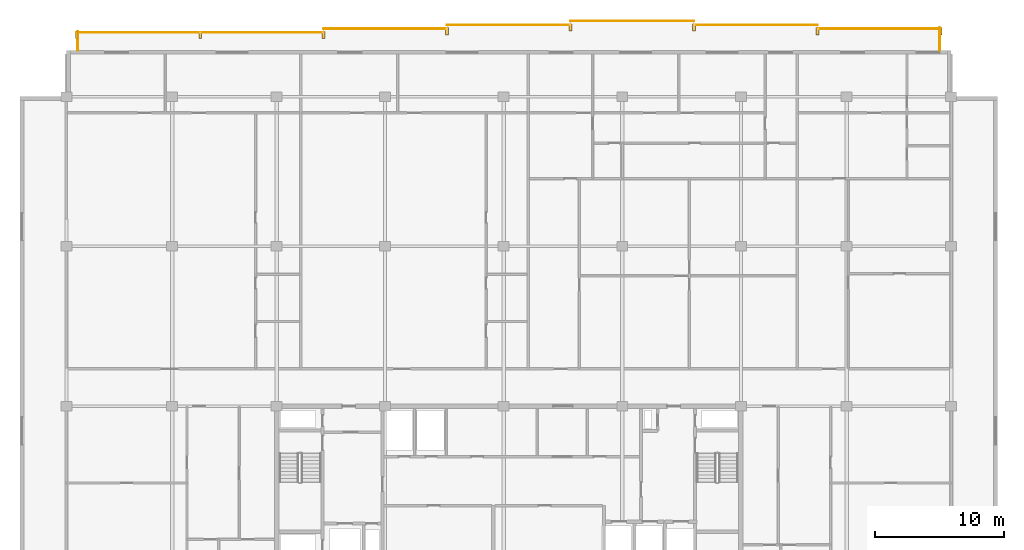
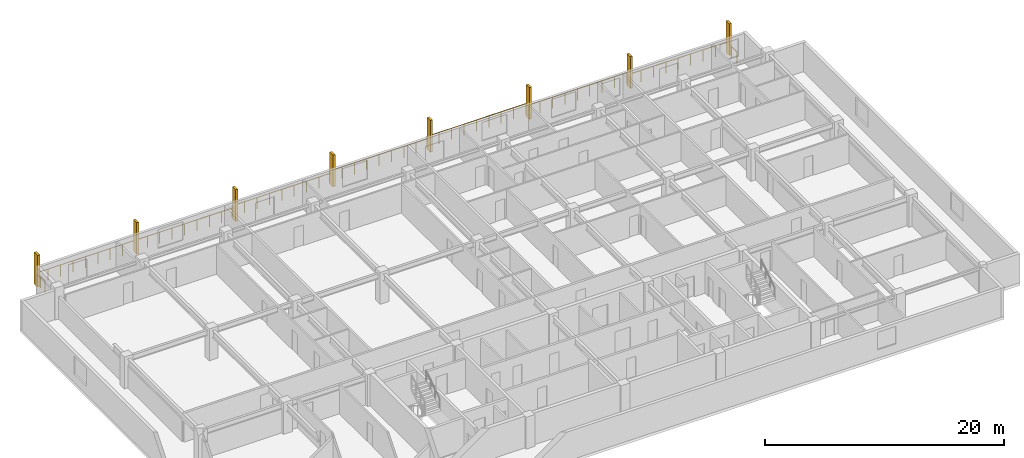
# One storey, part 22 of 22: 8 railings, 8 shading devices.
"""IFC4 building model written with IfcOpenShell, lengths in metres."""

from ifc_helpers import new_model, si_unit, direction, frame, origin, origin_2d, place, context, subcontext, project, spatial, rectangle, circle, extrude, material, type_object, element, save


model = new_model("IFC4")

# Units and contexts
model_context = context("Model", 3, precision=1e-05, world=origin(), true_north=direction((0.0, 1.0)))
body_context = subcontext(model_context, "Body", "Model", "MODEL_VIEW")
ifc_project = project(units=[si_unit("LENGTHUNIT", "METRE"), si_unit("AREAUNIT", "SQUARE_METRE"), si_unit("VOLUMEUNIT", "CUBIC_METRE"), si_unit("PLANEANGLEUNIT", "RADIAN"), si_unit("MASSUNIT", "GRAM", prefix="KILO")], contexts=[model_context])

# Site, building, storey
site_placement = place(None, origin())
site = spatial("IfcSite", under=ifc_project, at=site_placement, CompositionType="ELEMENT")
building_placement = place(site_placement, origin())
building = spatial("IfcBuilding", under=site, at=building_placement, Name="Korimba Cascade Residences", CompositionType="ELEMENT")
storey_placement = place(building_placement, frame((0.0, 0.0, 197.85009765625)))
storey = spatial("IfcBuildingStorey", under=building, at=storey_placement, Name="L57", CompositionType="ELEMENT", Elevation=197.85009765625)

# Railings
ifc_material_1 = material(Name="Laminated Glass and Bronze Balustrade", Category="glass")
railing_type = type_object("IfcRailingType", Name="RLG-LOG-1150", PredefinedType="BALUSTRADE", material=ifc_material_1)
railing_1_placement = place(storey_placement, frame((127.52001953125, 94.800048828125, 0.0)))
element("IfcRailing", 1, at=railing_1_placement, inside=storey, type_object=railing_type, Name="L57 Perimeter Guardrail RLG-L57-T1-LOG-01", PredefinedType="BALUSTRADE", context=body_context, shape_type="SweptSolid", body=[
    extrude(circle(Radius=0.02392578125, at=origin_2d()), frame((0.0, 0.0, 1.1259765625), z_axis=(0.0, 1.0, 0.0), x_axis=(-1.0, 0.0, 0.0)), (0.0, 0.0, 1.0), 1.75),
    extrude(circle(Radius=0.02099609375, at=origin_2d()), origin(), (0.0, 0.0, 1.0), 1.101806640625),
    extrude(circle(Radius=0.02099609375, at=origin_2d()), frame((0.0, 0.875, 0.0)), (0.0, 0.0, 1.0), 1.101806640625),
    extrude(circle(Radius=0.02099609375, at=origin_2d()), frame((0.0, 1.75, 0.0)), (0.0, 0.0, 1.0), 1.101806640625),
])
for number, where, name in (
    (2, (127.60009765625, 96.469970703125, 0.0), "L57 Perimeter Guardrail RLG-L57-T1-LOG-02"),
    (3, (118.028564453125, 96.77001953125, 0.0), "L57 Perimeter Guardrail RLG-L57-T1-LOG-03"),
):
    element("IfcRailing", number, at=place(storey_placement, frame(where)), inside=storey, type_object=railing_type, Name=name, PredefinedType="BALUSTRADE", context=body_context, shape_type="SweptSolid", body=[
        extrude(circle(Radius=0.02392578125, at=origin_2d()), frame((0.0, 0.0, 1.1259765625), z_axis=(-1.0, 0.0, 0.0), x_axis=(0.0, -1.0, 0.0)), (0.0, 0.0, 1.0), 9.571533203125),
        extrude(circle(Radius=0.02099609375, at=origin_2d()), origin(), (0.0, 0.0, 1.0), 1.101806640625),
        extrude(circle(Radius=0.02099609375, at=origin_2d()), frame((-1.196533203125, 0.0, 0.0)), (0.0, 0.0, 1.0), 1.101806640625),
        extrude(circle(Radius=0.02099609375, at=origin_2d()), frame((-2.392822265625, 0.0, 0.0)), (0.0, 0.0, 1.0), 1.101806640625),
        extrude(circle(Radius=0.02099609375, at=origin_2d()), frame((-3.58935546875, 0.0, 0.0)), (0.0, 0.0, 1.0), 1.101806640625),
        extrude(circle(Radius=0.02099609375, at=origin_2d()), frame((-4.78564453125, 0.0, 0.0)), (0.0, 0.0, 1.0), 1.101806640625),
        extrude(circle(Radius=0.02099609375, at=origin_2d()), frame((-5.982177734375, 0.0, 0.0)), (0.0, 0.0, 1.0), 1.101806640625),
        extrude(circle(Radius=0.02099609375, at=origin_2d()), frame((-7.1787109375, 0.0, 0.0)), (0.0, 0.0, 1.0), 1.101806640625),
        extrude(circle(Radius=0.02099609375, at=origin_2d()), frame((-8.375, 0.0, 0.0)), (0.0, 0.0, 1.0), 1.101806640625),
        extrude(circle(Radius=0.02099609375, at=origin_2d()), frame((-9.571533203125, 0.0, 0.0)), (0.0, 0.0, 1.0), 1.101806640625),
    ])
railing_2_placement = place(storey_placement, frame((108.45703125, 97.070068359375, 0.0)))
element("IfcRailing", 4, at=railing_2_placement, inside=storey, type_object=railing_type, Name="L57 Perimeter Guardrail RLG-L57-T1-LOG-04", PredefinedType="BALUSTRADE", context=body_context, shape_type="SweptSolid", body=[
    extrude(circle(Radius=0.02392578125, at=origin_2d()), frame((0.0, 0.0, 1.1259765625), z_axis=(-1.0, 0.0, 0.0), x_axis=(0.0, -1.0, 0.0)), (0.0, 0.0, 1.0), 9.5712890625),
    extrude(circle(Radius=0.02099609375, at=origin_2d()), origin(), (0.0, 0.0, 1.0), 1.101806640625),
    extrude(circle(Radius=0.02099609375, at=origin_2d()), frame((-1.1962890625, 0.0, 0.0)), (0.0, 0.0, 1.0), 1.101806640625),
    extrude(circle(Radius=0.02099609375, at=origin_2d()), frame((-2.392822265625, 0.0, 0.0)), (0.0, 0.0, 1.0), 1.101806640625),
    extrude(circle(Radius=0.02099609375, at=origin_2d()), frame((-3.58935546875, 0.0, 0.0)), (0.0, 0.0, 1.0), 1.101806640625),
    extrude(circle(Radius=0.02099609375, at=origin_2d()), frame((-4.78564453125, 0.0, 0.0)), (0.0, 0.0, 1.0), 1.101806640625),
    extrude(circle(Radius=0.02099609375, at=origin_2d()), frame((-5.98193359375, 0.0, 0.0)), (0.0, 0.0, 1.0), 1.101806640625),
    extrude(circle(Radius=0.02099609375, at=origin_2d()), frame((-7.178466796875, 0.0, 0.0)), (0.0, 0.0, 1.0), 1.101806640625),
    extrude(circle(Radius=0.02099609375, at=origin_2d()), frame((-8.375, 0.0, 0.0)), (0.0, 0.0, 1.0), 1.101806640625),
    extrude(circle(Radius=0.02099609375, at=origin_2d()), frame((-9.5712890625, 0.0, 0.0)), (0.0, 0.0, 1.0), 1.101806640625),
])
railing_3_placement = place(storey_placement, frame((98.8857421875, 96.77001953125, 0.0)))
element("IfcRailing", 5, at=railing_3_placement, inside=storey, type_object=railing_type, Name="L57 Perimeter Guardrail RLG-L57-T1-LOG-05", PredefinedType="BALUSTRADE", context=body_context, shape_type="SweptSolid", body=[
    extrude(circle(Radius=0.02392578125, at=origin_2d()), frame((0.0, 0.0, 1.1259765625), z_axis=(-1.0, 0.0, 0.0), x_axis=(0.0, -1.0, 0.0)), (0.0, 0.0, 1.0), 9.571533203125),
    extrude(circle(Radius=0.02099609375, at=origin_2d()), origin(), (0.0, 0.0, 1.0), 1.101806640625),
    extrude(circle(Radius=0.02099609375, at=origin_2d()), frame((-1.196533203125, 0.0, 0.0)), (0.0, 0.0, 1.0), 1.101806640625),
    extrude(circle(Radius=0.02099609375, at=origin_2d()), frame((-2.392822265625, 0.0, 0.0)), (0.0, 0.0, 1.0), 1.101806640625),
    extrude(circle(Radius=0.02099609375, at=origin_2d()), frame((-3.58935546875, 0.0, 0.0)), (0.0, 0.0, 1.0), 1.101806640625),
    extrude(circle(Radius=0.02099609375, at=origin_2d()), frame((-4.78564453125, 0.0, 0.0)), (0.0, 0.0, 1.0), 1.101806640625),
    extrude(circle(Radius=0.02099609375, at=origin_2d()), frame((-5.982177734375, 0.0, 0.0)), (0.0, 0.0, 1.0), 1.101806640625),
    extrude(circle(Radius=0.02099609375, at=origin_2d()), frame((-7.1787109375, 0.0, 0.0)), (0.0, 0.0, 1.0), 1.101806640625),
    extrude(circle(Radius=0.02099609375, at=origin_2d()), frame((-8.375, 0.0, 0.0)), (0.0, 0.0, 1.0), 1.101806640625),
    extrude(circle(Radius=0.02099609375, at=origin_2d()), frame((-9.571533203125, 0.0, 0.0)), (0.0, 0.0, 1.0), 1.101806640625),
])
railing_4_placement = place(storey_placement, frame((89.314208984375, 96.469970703125, 0.0)))
element("IfcRailing", 6, at=railing_4_placement, inside=storey, type_object=railing_type, Name="L57 Perimeter Guardrail RLG-L57-T1-LOG-06", PredefinedType="BALUSTRADE", context=body_context, shape_type="SweptSolid", body=[
    extrude(circle(Radius=0.02392578125, at=origin_2d()), frame((0.0, 0.0, 1.1259765625), z_axis=(-1.0, 0.0, 0.0), x_axis=(0.0, -1.0, 0.0)), (0.0, 0.0, 1.0), 9.5712890625),
    extrude(circle(Radius=0.02099609375, at=origin_2d()), origin(), (0.0, 0.0, 1.0), 1.101806640625),
    extrude(circle(Radius=0.02099609375, at=origin_2d()), frame((-1.1962890625, 0.0, 0.0)), (0.0, 0.0, 1.0), 1.101806640625),
    extrude(circle(Radius=0.02099609375, at=origin_2d()), frame((-2.392822265625, 0.0, 0.0)), (0.0, 0.0, 1.0), 1.101806640625),
    extrude(circle(Radius=0.02099609375, at=origin_2d()), frame((-3.58935546875, 0.0, 0.0)), (0.0, 0.0, 1.0), 1.101806640625),
    extrude(circle(Radius=0.02099609375, at=origin_2d()), frame((-4.78564453125, 0.0, 0.0)), (0.0, 0.0, 1.0), 1.101806640625),
    extrude(circle(Radius=0.02099609375, at=origin_2d()), frame((-5.98193359375, 0.0, 0.0)), (0.0, 0.0, 1.0), 1.101806640625),
    extrude(circle(Radius=0.02099609375, at=origin_2d()), frame((-7.178466796875, 0.0, 0.0)), (0.0, 0.0, 1.0), 1.101806640625),
    extrude(circle(Radius=0.02099609375, at=origin_2d()), frame((-8.375, 0.0, 0.0)), (0.0, 0.0, 1.0), 1.101806640625),
    extrude(circle(Radius=0.02099609375, at=origin_2d()), frame((-9.5712890625, 0.0, 0.0)), (0.0, 0.0, 1.0), 1.101806640625),
])
railing_5_placement = place(storey_placement, frame((79.742919921875, 96.169921875, 0.0)))
element("IfcRailing", 7, at=railing_5_placement, inside=storey, type_object=railing_type, Name="L57 Perimeter Guardrail RLG-L57-T1-LOG-07", PredefinedType="BALUSTRADE", context=body_context, shape_type="SweptSolid", body=[
    extrude(circle(Radius=0.02392578125, at=origin_2d()), frame((0.0, 0.0, 1.1259765625), z_axis=(-1.0, 0.0, 0.0), x_axis=(0.0, -1.0, 0.0)), (0.0, 0.0, 1.0), 19.142822265625),
    extrude(circle(Radius=0.02099609375, at=origin_2d()), origin(), (0.0, 0.0, 1.0), 1.101806640625),
    extrude(circle(Radius=0.02099609375, at=origin_2d()), frame((-1.196533203125, 0.0, 0.0)), (0.0, 0.0, 1.0), 1.101806640625),
    extrude(circle(Radius=0.02099609375, at=origin_2d()), frame((-2.392822265625, 0.0, 0.0)), (0.0, 0.0, 1.0), 1.101806640625),
    extrude(circle(Radius=0.02099609375, at=origin_2d()), frame((-3.58935546875, 0.0, 0.0)), (0.0, 0.0, 1.0), 1.101806640625),
    extrude(circle(Radius=0.02099609375, at=origin_2d()), frame((-4.78564453125, 0.0, 0.0)), (0.0, 0.0, 1.0), 1.101806640625),
    extrude(circle(Radius=0.02099609375, at=origin_2d()), frame((-5.982177734375, 0.0, 0.0)), (0.0, 0.0, 1.0), 1.101806640625),
    extrude(circle(Radius=0.02099609375, at=origin_2d()), frame((-7.178466796875, 0.0, 0.0)), (0.0, 0.0, 1.0), 1.101806640625),
    extrude(circle(Radius=0.02099609375, at=origin_2d()), frame((-8.375, 0.0, 0.0)), (0.0, 0.0, 1.0), 1.101806640625),
    extrude(circle(Radius=0.02099609375, at=origin_2d()), frame((-9.5712890625, 0.0, 0.0)), (0.0, 0.0, 1.0), 1.101806640625),
    extrude(circle(Radius=0.02099609375, at=origin_2d()), frame((-10.767822265625, 0.0, 0.0)), (0.0, 0.0, 1.0), 1.101806640625),
    extrude(circle(Radius=0.02099609375, at=origin_2d()), frame((-11.96435546875, 0.0, 0.0)), (0.0, 0.0, 1.0), 1.101806640625),
    extrude(circle(Radius=0.02099609375, at=origin_2d()), frame((-13.16064453125, 0.0, 0.0)), (0.0, 0.0, 1.0), 1.101806640625),
    extrude(circle(Radius=0.02099609375, at=origin_2d()), frame((-14.357177734375, 0.0, 0.0)), (0.0, 0.0, 1.0), 1.101806640625),
    extrude(circle(Radius=0.02099609375, at=origin_2d()), frame((-15.553466796875, 0.0, 0.0)), (0.0, 0.0, 1.0), 1.101806640625),
    extrude(circle(Radius=0.02099609375, at=origin_2d()), frame((-16.75, 0.0, 0.0)), (0.0, 0.0, 1.0), 1.101806640625),
    extrude(circle(Radius=0.02099609375, at=origin_2d()), frame((-17.9462890625, 0.0, 0.0)), (0.0, 0.0, 1.0), 1.101806640625),
    extrude(circle(Radius=0.02099609375, at=origin_2d()), frame((-19.142822265625, 0.0, 0.0)), (0.0, 0.0, 1.0), 1.101806640625),
])
railing_6_placement = place(storey_placement, frame((60.679931640625, 96.25, 0.0)))
element("IfcRailing", 8, at=railing_6_placement, inside=storey, type_object=railing_type, Name="L57 Perimeter Guardrail RLG-L57-T1-LOG-08", PredefinedType="BALUSTRADE", context=body_context, shape_type="SweptSolid", body=[
    extrude(circle(Radius=0.02392578125, at=origin_2d()), frame((0.0, 0.0, 1.1259765625), z_axis=(0.0, -1.0, 0.0), x_axis=(1.0, 0.0, 0.0)), (0.0, 0.0, 1.0), 1.449951171875),
    extrude(circle(Radius=0.02099609375, at=origin_2d()), origin(), (0.0, 0.0, 1.0), 1.101806640625),
    extrude(circle(Radius=0.02099609375, at=origin_2d()), frame((0.0, -0.72509765625, 0.0)), (0.0, 0.0, 1.0), 1.101806640625),
    extrude(circle(Radius=0.02099609375, at=origin_2d()), frame((0.0, -1.449951171875, 0.0)), (0.0, 0.0, 1.0), 1.101806640625),
])

# Shading devices
ifc_material_2 = material(Name="Honed Sandstone Precast Fin", Category="masonry")
shading_device_type = type_object("IfcShadingDeviceType", Name="SHD-FIN-550", PredefinedType="USERDEFINED", material=ifc_material_2)
for number, where, z_axis, x_axis, name in (
    (9, (60.60009765625, 95.97509765625, 0.0), (0.0, 0.0, 1.0), (1.0, 0.0, 0.0), "L57 T1 Warm-Stone Loggia Fin 1"),
    (10, (70.17138671875, 95.97509765625, 0.0), (0.0, 0.0, 1.0), (1.0, 0.0, 0.0), "L57 T1 Warm-Stone Loggia Fin 2"),
    (11, (79.742919921875, 95.97509765625, 0.0), (0.0, 0.0, 1.0), (1.0, 0.0, 0.0), "L57 T1 Warm-Stone Loggia Fin 3"),
    (12, (89.314208984375, 96.27490234375, 0.0), (0.0, 0.0, 1.0), (1.0, 0.0, 0.0), "L57 T1 Warm-Stone Loggia Fin 4"),
    (13, (98.8857421875, 96.574951171875, 0.0), (0.0, 0.0, 1.0), (1.0, 0.0, 0.0), "L57 T1 Warm-Stone Loggia Fin 5"),
    (14, (108.45703125, 96.574951171875, 0.0), (0.0, 0.0, 1.0), (1.0, 0.0, 0.0), "L57 T1 Warm-Stone Loggia Fin 6"),
    (15, (118.028564453125, 96.27490234375, 0.0), (0.0, 0.0, 1.0), (1.0, 0.0, 0.0), "L57 T1 Warm-Stone Loggia Fin 7"),
    (16, (127.60009765625, 96.27490234375, 0.0), (0.0, 0.0, 1.0), (1.0, 0.0, 0.0), "L57 T1 Warm-Stone Loggia Fin 8"),
):
    element("IfcShadingDevice", number, at=place(storey_placement, frame(where, z_axis=z_axis, x_axis=x_axis)), inside=storey, type_object=shading_device_type, Name=name, ObjectType="FIN", PredefinedType="USERDEFINED", context=body_context, shape_type="SweptSolid", body=[
        extrude(rectangle(XDim=0.219970703125, YDim=0.550048828125, at=origin_2d()), origin(), (0.0, 0.0, 1.0), 3.25),
    ])

save(model, "model.ifc")
